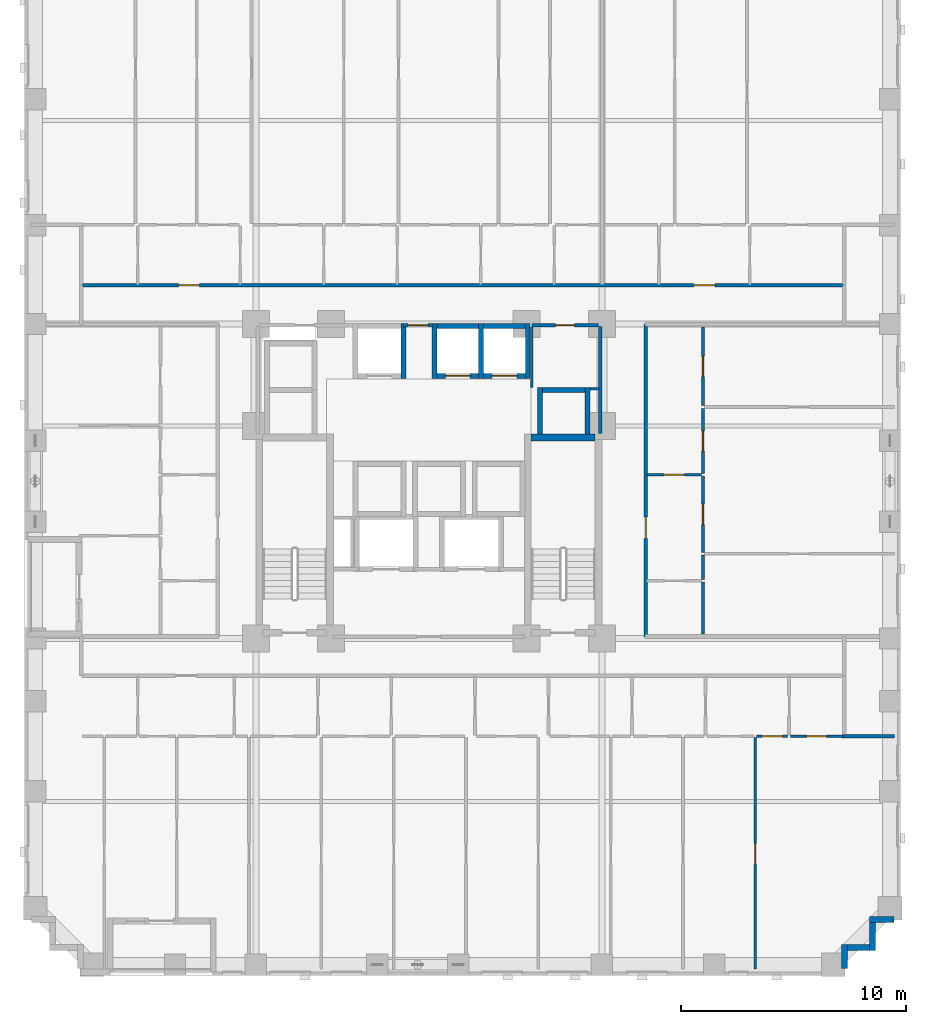
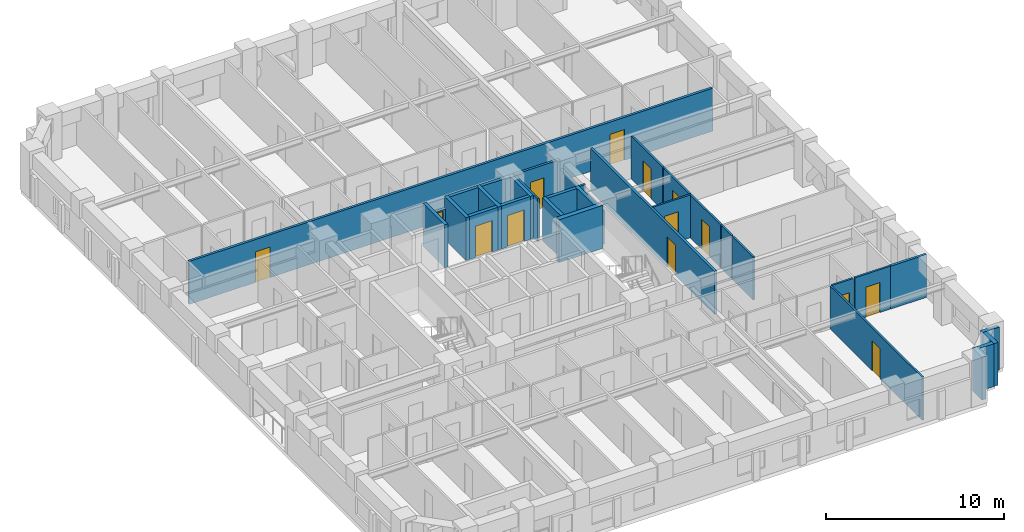
# One storey, part 6 of 14: 33 walls, 14 doors, 14 openings.
"""IFC4 building model written with IfcOpenShell, lengths in metres."""

from ifc_helpers import new_model, si_unit, derived_unit, direction, frame, frame_2d, origin, place, context, subcontext, project, spatial, rectangle, extrude, material, layer, layer_set, type_object, element, fill, save


model = new_model("IFC4")

# Units and contexts
model_context = context("Model", 3, precision=1e-05, world=origin(), true_north=direction((0.0, 1.0)))
body_context = subcontext(model_context, "Body", "Model", "MODEL_VIEW")
ifc_project = project(units=[si_unit("LENGTHUNIT", "METRE"), si_unit("AREAUNIT", "SQUARE_METRE"), si_unit("VOLUMEUNIT", "CUBIC_METRE"), si_unit("PLANEANGLEUNIT", "RADIAN"), si_unit("MASSUNIT", "GRAM", prefix="KILO"), derived_unit("THERMALTRANSMITTANCEUNIT", [(si_unit("MASSUNIT", "GRAM", prefix="KILO"), 1), (si_unit("TIMEUNIT", "SECOND"), -3), (si_unit("THERMODYNAMICTEMPERATUREUNIT", "KELVIN"), -1)])], contexts=[model_context])

# Site, building, storey
site_placement = place(None, origin())
site = spatial("IfcSite", under=ifc_project, at=site_placement, CompositionType="ELEMENT")
building_placement = place(site_placement, origin())
building = spatial("IfcBuilding", under=site, at=building_placement, Name="Korrvale Station Residences", CompositionType="ELEMENT")
storey_placement = place(building_placement, frame((0.0, 0.0, 29.0)))
storey = spatial("IfcBuildingStorey", under=building, at=storey_placement, Name="L06", CompositionType="ELEMENT", Elevation=29.0)

# Walls
ifc_material_1 = material(Name="Concrete C70/85", Category="concrete")
ifc_layer_1 = layer(ifc_material_1, 0.300048828125, Name="Concrete C70/85")
ifc_layer_set_1 = layer_set([ifc_layer_1], Name="Concrete C70/85")
wall_type_1 = type_object("IfcWallType", Name="WAL-CORE-300-C70", PredefinedType="SHEAR", material=ifc_layer_set_1)
wall_1_placement = place(storey_placement, frame((30.050048828125, 23.949951171875, 0.0), z_axis=(0.0, 0.0, 1.0), x_axis=(1.0, 0.0, 0.0)))
element("IfcWall", 1, at=wall_1_placement, inside=storey, type_object=wall_type_1, Name="L06 ST-2 Core Shear Wall North", PredefinedType="SHEAR", context=body_context, shape_type="SweptSolid", body=[
    extrude(rectangle(XDim=2.849853515625, YDim=0.300048828125, at=frame_2d((1.4248046875, 0.0))), origin(), (0.0, 0.0, 1.0), 2.93994140625),
])
ifc_material_2 = material(Name="Precast concrete C45/55", Category="concrete")
ifc_layer_2 = layer(ifc_material_2, 0.260009765625, Name="Precast concrete C45/55")
ifc_layer_set_2 = layer_set([ifc_layer_2], Name="Precast concrete C45/55")
wall_type_2 = type_object("IfcWallType", Name="WAL-EXT-LOG260", PredefinedType="SOLIDWALL", material=ifc_layer_set_2)
wall_2_placement = place(storey_placement, frame((46.197998046875, 2.5, 0.0), z_axis=(0.0, 0.0, 1.0), x_axis=(-1.0, 0.0, 0.0)))
element("IfcWall", 2, at=wall_2_placement, inside=storey, type_object=wall_type_2, Name="L06 Serrated Corner Precast Step SE-1", PredefinedType="SOLIDWALL", context=body_context, shape_type="SweptSolid", body=[
    extrude(rectangle(XDim=1.077880859375, YDim=0.260009765625, at=frame_2d((0.5390625, 0.0))), origin(), (0.0, 0.0, 1.0), 2.93994140625),
])
wall_3_placement = place(storey_placement, frame((45.25, 2.367919921875, 0.0), z_axis=(0.0, 0.0, 1.0), x_axis=(0.0, -1.0, 0.0)))
element("IfcWall", 3, at=wall_3_placement, inside=storey, type_object=wall_type_2, Name="L06 Serrated Corner Precast Step SE-2", PredefinedType="SOLIDWALL", context=body_context, shape_type="SweptSolid", body=[
    extrude(rectangle(XDim=1.247802734375, YDim=0.260009765625, at=frame_2d((0.6240234375, 0.0))), origin(), (0.0, 0.0, 1.0), 2.93994140625),
])
wall_4_placement = place(storey_placement, frame((45.117919921875, 1.25, 0.0), z_axis=(0.0, 0.0, 1.0), x_axis=(-1.0, 0.0, 0.0)))
element("IfcWall", 4, at=wall_4_placement, inside=storey, type_object=wall_type_2, Name="L06 Serrated Corner Precast Step SE-3", PredefinedType="SOLIDWALL", context=body_context, shape_type="SweptSolid", body=[
    extrude(rectangle(XDim=0.98583984375, YDim=0.260009765625, at=frame_2d((0.492919921875, 0.0))), origin(), (0.0, 0.0, 1.0), 2.93994140625),
])
wall_5_placement = place(storey_placement, frame((44.0, 1.3798828125, 0.0), z_axis=(0.0, 0.0, 1.0), x_axis=(0.0, -1.0, 0.0)))
element("IfcWall", 5, at=wall_5_placement, inside=storey, type_object=wall_type_2, Name="L06 Serrated Corner Precast Step SE-4", PredefinedType="SOLIDWALL", context=body_context, shape_type="SweptSolid", body=[
    extrude(rectangle(XDim=1.077880859375, YDim=0.260009765625, at=frame_2d((0.5390625, 0.0))), origin(), (0.0, 0.0, 1.0), 2.93994140625),
])
ifc_material_3 = material(Name="Acoustic steel-stud gypsum board partition", Category="steel")
ifc_layer_3 = layer(ifc_material_3, 0.1201171875, Name="Acoustic steel-stud gypsum board partition")
ifc_layer_set_3 = layer_set([ifc_layer_3], Name="Acoustic steel-stud gypsum board partition")
wall_type_3 = type_object("IfcWallType", Name="WAL-PART-125", PredefinedType="PARTITIONING", material=ifc_layer_set_3)
wall_6_placement = place(storey_placement, frame((30.080078125, 26.179931640625, 0.0), z_axis=(0.0, 0.0, 1.0), x_axis=(0.0, 1.0, 0.0)))
element("IfcWall", 6, at=wall_6_placement, inside=storey, type_object=wall_type_3, Name="L06 Core Partition CW-CS-W", PredefinedType="PARTITIONING", context=body_context, shape_type="SweptSolid", body=[
    extrude(rectangle(XDim=2.68017578125, YDim=0.1201171875, at=frame_2d((1.340087890625, 0.0))), origin(), (0.0, 0.0, 1.0), 2.93994140625),
])
wall_7_placement = place(storey_placement, frame((32.679931640625, 26.1201171875, 0.0), z_axis=(0.0, 0.0, 1.0), x_axis=(1.0, 0.0, 0.0)))
element("IfcWall", 7, at=wall_7_placement, inside=storey, type_object=wall_type_3, Name="L06 Core Partition CW-CS-S", PredefinedType="PARTITIONING", context=body_context, shape_type="SweptSolid", body=[
    extrude(rectangle(XDim=0.380126953125, YDim=0.1201171875, at=frame_2d((0.18994140625, 0.0))), origin(), (0.0, 0.0, 1.0), 2.93994140625),
])

# Wall, opening, door
wall_8_placement = place(storey_placement, frame((40.090087890625, 10.64990234375, 0.0), z_axis=(0.0, 0.0, 1.0), x_axis=(1.0, 0.0, 0.0)))
wall_8 = element("IfcWall", 8, at=wall_8_placement, inside=storey, type_object=wall_type_3, Name="L06 Suite Partition U01-H820", PredefinedType="PARTITIONING", context=body_context, shape_type="SweptSolid", body=[
    extrude(rectangle(XDim=1.3798828125, YDim=0.1201171875, at=frame_2d((0.68994140625, 0.0))), origin(), (0.0, 0.0, 1.0), 2.93994140625),
])
opening_1_placement = place(wall_8_placement, frame((0.239990234375, 0.0, 0.0)))
opening_1 = element("IfcOpeningElement", 9, at=opening_1_placement, cuts=wall_8, Name="Opening DI-900", PredefinedType="OPENING", context=body_context, shape_type="SweptSolid", body=[
    extrude(rectangle(XDim=0.89990234375, YDim=2.050048828125, at=frame_2d((0.449951171875, 1.02490234375))), frame((0.0, 0.070068359375, 0.0), z_axis=(0.0, -1.0, 0.0), x_axis=(1.0, 0.0, 0.0)), (0.0, 0.0, 1.0), 0.14013671875),
])
ifc_material_4 = material(Name="Painted solid-core timber interior room door", Category="wood")
door_type_1 = type_object("IfcDoorType", Name="DR-INT-900", OperationType="NOTDEFINED", PredefinedType="DOOR", material=ifc_material_4)
door_1_placement = place(opening_1_placement, origin())
door_1 = element("IfcDoor", 10, at=door_1_placement, inside=storey, type_object=door_type_1, Name="L06 Studio Apartment L06-U01 Storage Closet 7 Door", OperationType="SINGLE_SWING_RIGHT", OverallHeight=2.050048828125, OverallWidth=0.89990234375, PredefinedType="DOOR", context=body_context, shape_type="SweptSolid", body=[
    extrude(rectangle(XDim=0.89990234375, YDim=2.050048828125, at=frame_2d((0.449951171875, 1.02490234375))), frame((0.0, 0.02490234375, 0.0), z_axis=(0.0, -1.0, 0.0), x_axis=(1.0, 0.0, 0.0)), (0.0, 0.0, 1.0), 0.050048828125),
])
fill(opening_1, door_1)

wall_9_placement = place(storey_placement, frame((41.590087890625, 10.64990234375, 0.0), z_axis=(0.0, 0.0, 1.0), x_axis=(1.0, 0.0, 0.0)))
wall_9 = element("IfcWall", 11, at=wall_9_placement, inside=storey, type_object=wall_type_3, Name="L06 Suite Partition U01-H920", PredefinedType="PARTITIONING", context=body_context, shape_type="SweptSolid", body=[
    extrude(rectangle(XDim=2.329833984375, YDim=0.1201171875, at=frame_2d((1.1650390625, 0.0))), origin(), (0.0, 0.0, 1.0), 2.93994140625),
])
opening_2_placement = place(wall_9_placement, frame((0.715087890625, 0.0, 0.0)))
opening_2 = element("IfcOpeningElement", 12, at=opening_2_placement, cuts=wall_9, Name="Opening DI-900", PredefinedType="OPENING", context=body_context, shape_type="SweptSolid", body=[
    extrude(rectangle(XDim=0.89990234375, YDim=2.050048828125, at=frame_2d((0.449951171875, 1.02490234375))), frame((0.0, 0.070068359375, 0.0), z_axis=(0.0, -1.0, 0.0), x_axis=(1.0, 0.0, 0.0)), (0.0, 0.0, 1.0), 0.14013671875),
])
door_2_placement = place(opening_2_placement, origin())
door_2 = element("IfcDoor", 13, at=door_2_placement, inside=storey, type_object=door_type_1, Name="L06 Studio Apartment L06-U01 Storage Closet 8 Door", OperationType="SINGLE_SWING_LEFT", OverallHeight=2.050048828125, OverallWidth=0.89990234375, PredefinedType="DOOR", context=body_context, shape_type="SweptSolid", body=[
    extrude(rectangle(XDim=0.89990234375, YDim=2.050048828125, at=frame_2d((0.449951171875, 1.02490234375))), frame((0.0, 0.02490234375, 0.0), z_axis=(0.0, -1.0, 0.0), x_axis=(1.0, 0.0, 0.0)), (0.0, 0.0, 1.0), 0.050048828125),
])
fill(opening_2, door_2)

wall_10_placement = place(storey_placement, frame((40.030029296875, 0.280029296875, 0.0), z_axis=(0.0, 0.0, 1.0), x_axis=(0.0, 1.0, 0.0)))
wall_10 = element("IfcWall", 14, at=wall_10_placement, inside=storey, type_object=wall_type_3, Name="L06 Suite Partition U01-V1920", PredefinedType="PARTITIONING", context=body_context, shape_type="SweptSolid", body=[
    extrude(rectangle(XDim=10.31005859375, YDim=0.1201171875, at=frame_2d((5.155029296875, 0.0))), origin(), (0.0, 0.0, 1.0), 2.93994140625),
])
opening_3_placement = place(wall_10_placement, frame((4.68994140625, 0.0, 0.0)))
opening_3 = element("IfcOpeningElement", 15, at=opening_3_placement, cuts=wall_10, Name="Opening DI-900", PredefinedType="OPENING", context=body_context, shape_type="SweptSolid", body=[
    extrude(rectangle(XDim=0.89990234375, YDim=2.050048828125, at=frame_2d((0.449951171875, 1.02490234375))), frame((0.0, 0.070068359375, 0.0), z_axis=(0.0, -1.0, 0.0), x_axis=(1.0, 0.0, 0.0)), (0.0, 0.0, 1.0), 0.14013671875),
])
door_3_placement = place(opening_3_placement, origin())
door_3 = element("IfcDoor", 16, at=door_3_placement, inside=storey, type_object=door_type_1, Name="L06 Studio Apartment L06-U01 Formal Dining Room Door", OperationType="SINGLE_SWING_LEFT", OverallHeight=2.050048828125, OverallWidth=0.89990234375, PredefinedType="DOOR", context=body_context, shape_type="SweptSolid", body=[
    extrude(rectangle(XDim=0.89990234375, YDim=2.050048828125, at=frame_2d((0.449951171875, 1.02490234375))), frame((0.0, 0.02490234375, 0.0), z_axis=(0.0, -1.0, 0.0), x_axis=(1.0, 0.0, 0.0)), (0.0, 0.0, 1.0), 0.050048828125),
])
fill(opening_3, door_3)

wall_11_placement = place(storey_placement, frame((35.18994140625, 22.2900390625, 0.0), z_axis=(0.0, 0.0, 1.0), x_axis=(1.0, 0.0, 0.0)))
wall_11 = element("IfcWall", 17, at=wall_11_placement, inside=storey, type_object=wall_type_3, Name="L06 Suite Partition U05-H02", PredefinedType="PARTITIONING", context=body_context, shape_type="SweptSolid", body=[
    extrude(rectangle(XDim=2.449951171875, YDim=0.1201171875, at=frame_2d((1.22509765625, 0.0))), origin(), (0.0, 0.0, 1.0), 2.93994140625),
])
opening_4_placement = place(wall_11_placement, frame((0.77490234375, 0.0, 0.0)))
opening_4 = element("IfcOpeningElement", 18, at=opening_4_placement, cuts=wall_11, Name="Opening DI-900", PredefinedType="OPENING", context=body_context, shape_type="SweptSolid", body=[
    extrude(rectangle(XDim=0.89990234375, YDim=2.050048828125, at=frame_2d((0.449951171875, 1.02490234375))), frame((0.0, 0.070068359375, 0.0), z_axis=(0.0, -1.0, 0.0), x_axis=(1.0, 0.0, 0.0)), (0.0, 0.0, 1.0), 0.14013671875),
])
door_4_placement = place(opening_4_placement, origin())
door_4 = element("IfcDoor", 19, at=door_4_placement, inside=storey, type_object=door_type_1, Name="L06 Apartment 2BR L06-U05 Wardrobe Storage Room Door", OperationType="SINGLE_SWING_RIGHT", OverallHeight=2.050048828125, OverallWidth=0.89990234375, PredefinedType="DOOR", context=body_context, shape_type="SweptSolid", body=[
    extrude(rectangle(XDim=0.89990234375, YDim=2.050048828125, at=frame_2d((0.449951171875, 1.02490234375))), frame((0.0, 0.02490234375, 0.0), z_axis=(0.0, -1.0, 0.0), x_axis=(1.0, 0.0, 0.0)), (0.0, 0.0, 1.0), 0.050048828125),
])
fill(opening_4, door_4)

wall_12_placement = place(storey_placement, frame((37.699951171875, 22.35009765625, 0.0), z_axis=(0.0, 0.0, 1.0), x_axis=(0.0, 1.0, 0.0)))
wall_12 = element("IfcWall", 20, at=wall_12_placement, inside=storey, type_object=wall_type_3, Name="L06 Suite Partition U05-V04", PredefinedType="PARTITIONING", context=body_context, shape_type="SweptSolid", body=[
    extrude(rectangle(XDim=2.890869140625, YDim=0.1201171875, at=frame_2d((1.4453125, 0.0))), origin(), (0.0, 0.0, 1.0), 2.93994140625),
])
opening_5_placement = place(wall_12_placement, frame((0.9951171875, 0.0, 0.0)))
opening_5 = element("IfcOpeningElement", 21, at=opening_5_placement, cuts=wall_12, Name="Opening DI-900", PredefinedType="OPENING", context=body_context, shape_type="SweptSolid", body=[
    extrude(rectangle(XDim=0.89990234375, YDim=2.050048828125, at=frame_2d((0.449951171875, 1.02490234375))), frame((0.0, 0.070068359375, 0.0), z_axis=(0.0, -1.0, 0.0), x_axis=(1.0, 0.0, 0.0)), (0.0, 0.0, 1.0), 0.14013671875),
])
door_5_placement = place(opening_5_placement, origin())
door_5 = element("IfcDoor", 22, at=door_5_placement, inside=storey, type_object=door_type_1, Name="L06 Apartment 2BR L06-U05 Wardrobe Storage Room Door", OperationType="SINGLE_SWING_LEFT", OverallHeight=2.050048828125, OverallWidth=0.89990234375, PredefinedType="DOOR", context=body_context, shape_type="SweptSolid", body=[
    extrude(rectangle(XDim=0.89990234375, YDim=2.050048828125, at=frame_2d((0.449951171875, 1.02490234375))), frame((0.0, 0.02490234375, 0.0), z_axis=(0.0, -1.0, 0.0), x_axis=(1.0, 0.0, 0.0)), (0.0, 0.0, 1.0), 0.050048828125),
])
fill(opening_5, door_5)

wall_13_placement = place(storey_placement, frame((37.699951171875, 25.361083984375, 0.0), z_axis=(0.0, 0.0, 1.0), x_axis=(0.0, 1.0, 0.0)))
wall_13 = element("IfcWall", 23, at=wall_13_placement, inside=storey, type_object=wall_type_3, Name="L06 Suite Partition U05-V05", PredefinedType="PARTITIONING", context=body_context, shape_type="SweptSolid", body=[
    extrude(rectangle(XDim=3.4990234375, YDim=0.1201171875, at=frame_2d((1.74951171875, 0.0))), origin(), (0.0, 0.0, 1.0), 2.93994140625),
])
opening_6_placement = place(wall_13_placement, frame((1.299072265625, 0.0, 0.0)))
opening_6 = element("IfcOpeningElement", 24, at=opening_6_placement, cuts=wall_13, Name="Opening DI-900", PredefinedType="OPENING", context=body_context, shape_type="SweptSolid", body=[
    extrude(rectangle(XDim=0.89990234375, YDim=2.050048828125, at=frame_2d((0.449951171875, 1.02490234375))), frame((0.0, 0.070068359375, 0.0), z_axis=(0.0, -1.0, 0.0), x_axis=(1.0, 0.0, 0.0)), (0.0, 0.0, 1.0), 0.14013671875),
])
door_6_placement = place(opening_6_placement, origin())
door_6 = element("IfcDoor", 25, at=door_6_placement, inside=storey, type_object=door_type_1, Name="L06 Apartment 2BR L06-U05 Wardrobe Storage Room Door", OperationType="SINGLE_SWING_RIGHT", OverallHeight=2.050048828125, OverallWidth=0.89990234375, PredefinedType="DOOR", context=body_context, shape_type="SweptSolid", body=[
    extrude(rectangle(XDim=0.89990234375, YDim=2.050048828125, at=frame_2d((0.449951171875, 1.02490234375))), frame((0.0, 0.02490234375, 0.0), z_axis=(0.0, -1.0, 0.0), x_axis=(1.0, 0.0, 0.0)), (0.0, 0.0, 1.0), 0.050048828125),
])
fill(opening_6, door_6)

# Walls
wall_14_placement = place(storey_placement, frame((37.699951171875, 15.2099609375, 0.0), z_axis=(0.0, 0.0, 1.0), x_axis=(0.0, 1.0, 0.0)))
element("IfcWall", 26, at=wall_14_placement, inside=storey, type_object=wall_type_3, Name="L06 Suite Partition U05-V13", PredefinedType="PARTITIONING", context=body_context, shape_type="SweptSolid", body=[
    extrude(rectangle(XDim=2.300048828125, YDim=0.1201171875, at=frame_2d((1.14990234375, 0.0))), origin(), (0.0, 0.0, 1.0), 2.93994140625),
])
wall_15_placement = place(storey_placement, frame((37.699951171875, 17.6298828125, 0.0), z_axis=(0.0, 0.0, 1.0), x_axis=(0.0, 1.0, 0.0)))
element("IfcWall", 27, at=wall_15_placement, inside=storey, type_object=wall_type_3, Name="L06 Suite Partition U05-V23", PredefinedType="PARTITIONING", context=body_context, shape_type="SweptSolid", body=[
    extrude(rectangle(XDim=1.0791015625, YDim=0.1201171875, at=frame_2d((0.53955078125, 0.0))), origin(), (0.0, 0.0, 1.0), 2.93994140625),
])

# Wall, opening, door
wall_16_placement = place(storey_placement, frame((37.699951171875, 18.8291015625, 0.0), z_axis=(0.0, 0.0, 1.0), x_axis=(0.0, 1.0, 0.0)))
wall_16 = element("IfcWall", 28, at=wall_16_placement, inside=storey, type_object=wall_type_3, Name="L06 Suite Partition U05-V24", PredefinedType="PARTITIONING", context=body_context, shape_type="SweptSolid", body=[
    extrude(rectangle(XDim=3.40087890625, YDim=0.1201171875, at=frame_2d((1.700439453125, 0.0))), origin(), (0.0, 0.0, 1.0), 2.93994140625),
])
opening_7_placement = place(wall_16_placement, frame((1.25, 0.0, 0.0)))
opening_7 = element("IfcOpeningElement", 29, at=opening_7_placement, cuts=wall_16, Name="Opening DI-900", PredefinedType="OPENING", context=body_context, shape_type="SweptSolid", body=[
    extrude(rectangle(XDim=0.89990234375, YDim=2.050048828125, at=frame_2d((0.449951171875, 1.02490234375))), frame((0.0, 0.070068359375, 0.0), z_axis=(0.0, -1.0, 0.0), x_axis=(1.0, 0.0, 0.0)), (0.0, 0.0, 1.0), 0.14013671875),
])
door_7_placement = place(opening_7_placement, origin())
door_7 = element("IfcDoor", 30, at=door_7_placement, inside=storey, type_object=door_type_1, Name="L06 Apartment 2BR L06-U05 Kitchen Door", OperationType="SINGLE_SWING_RIGHT", OverallHeight=2.050048828125, OverallWidth=0.89990234375, PredefinedType="DOOR", context=body_context, shape_type="SweptSolid", body=[
    extrude(rectangle(XDim=0.89990234375, YDim=2.050048828125, at=frame_2d((0.449951171875, 1.02490234375))), frame((0.0, 0.02490234375, 0.0), z_axis=(0.0, -1.0, 0.0), x_axis=(1.0, 0.0, 0.0)), (0.0, 0.0, 1.0), 0.050048828125),
])
fill(opening_7, door_7)

# Wall
ifc_material_5 = material(Name="Fire-rated twin-stud gypsum and mineral wool shaftwall assembly", Category="gypsum")
ifc_layer_4 = layer(ifc_material_5, 0.159912109375, Name="Fire-rated twin-stud gypsum and mineral wool shaftwall assembly")
ifc_layer_set_4 = layer_set([ifc_layer_4], Name="Fire-rated twin-stud gypsum and mineral wool shaftwall assembly")
wall_type_4 = type_object("IfcWallType", Name="WAL-PART-200", PredefinedType="PARTITIONING", material=ifc_layer_set_4)
wall_17_placement = place(storey_placement, frame((33.1201171875, 24.1201171875, 0.0), z_axis=(0.0, 0.0, 1.0), x_axis=(0.0, 1.0, 0.0)))
element("IfcWall", 31, at=wall_17_placement, inside=storey, type_object=wall_type_4, Name="L06 Core Partition CW-E-N", PredefinedType="PARTITIONING", context=body_context, shape_type="SweptSolid", body=[
    extrude(rectangle(XDim=4.759765625, YDim=0.159912109375, at=frame_2d((2.3798828125, 0.0))), origin(), (0.0, 0.0, 1.0), 2.27490234375),
])

# Wall, opening, door
wall_18_placement = place(storey_placement, frame((24.360107421875, 28.949951171875, 0.0), z_axis=(0.0, 0.0, 1.0), x_axis=(1.0, 0.0, 0.0)))
wall_18 = element("IfcWall", 32, at=wall_18_placement, inside=storey, type_object=wall_type_4, Name="L06 Core Partition CW-LLOB-N", PredefinedType="PARTITIONING", context=body_context, shape_type="SweptSolid", body=[
    extrude(rectangle(XDim=1.31982421875, YDim=0.159912109375, at=frame_2d((0.659912109375, 0.0))), origin(), (0.0, 0.0, 1.0), 2.155029296875),
])
opening_8_placement = place(wall_18_placement, frame((0.2099609375, 0.0, 0.0)))
opening_8 = element("IfcOpeningElement", 33, at=opening_8_placement, cuts=wall_18, Name="Opening DI-900", PredefinedType="OPENING", context=body_context, shape_type="SweptSolid", body=[
    extrude(rectangle(XDim=0.89990234375, YDim=2.050048828125, at=frame_2d((0.449951171875, 1.02490234375))), frame((0.0, 0.08984375, 0.0), z_axis=(0.0, -1.0, 0.0), x_axis=(1.0, 0.0, 0.0)), (0.0, 0.0, 1.0), 0.179931640625),
])
door_8_placement = place(opening_8_placement, origin())
door_8 = element("IfcDoor", 34, at=door_8_placement, inside=storey, type_object=door_type_1, Name="L06 Central Hallway North Passage Door", OperationType="SINGLE_SWING_LEFT", OverallHeight=2.050048828125, OverallWidth=0.89990234375, PredefinedType="DOOR", context=body_context, shape_type="SweptSolid", body=[
    extrude(rectangle(XDim=0.89990234375, YDim=2.050048828125, at=frame_2d((0.449951171875, 1.02490234375))), frame((0.0, 0.02490234375, 0.0), z_axis=(0.0, -1.0, 0.0), x_axis=(1.0, 0.0, 0.0)), (0.0, 0.0, 1.0), 0.050048828125),
])
fill(opening_8, door_8)

wall_19_placement = place(storey_placement, frame((30.080078125, 28.949951171875, 0.0), z_axis=(0.0, 0.0, 1.0), x_axis=(1.0, 0.0, 0.0)))
wall_19 = element("IfcWall", 35, at=wall_19_placement, inside=storey, type_object=wall_type_4, Name="L06 Core Partition CW-CS-N", PredefinedType="PARTITIONING", context=body_context, shape_type="SweptSolid", body=[
    extrude(rectangle(XDim=2.9599609375, YDim=0.159912109375, at=frame_2d((1.47998046875, 0.0))), origin(), (0.0, 0.0, 1.0), 2.93994140625),
])
opening_9_placement = place(wall_19_placement, frame((1.044921875, 0.0, 0.0)))
opening_9 = element("IfcOpeningElement", 36, at=opening_9_placement, cuts=wall_19, Name="Opening DB-860", PredefinedType="OPENING", context=body_context, shape_type="SweptSolid", body=[
    extrude(rectangle(XDim=0.860107421875, YDim=2.050048828125, at=frame_2d((0.43017578125, 1.02490234375))), frame((0.0, 0.08984375, 0.0), z_axis=(0.0, -1.0, 0.0), x_axis=(1.0, 0.0, 0.0)), (0.0, 0.0, 1.0), 0.179931640625),
])
ifc_material_6 = material(Name="Moisture-resistant solid-core bathroom door", Category="timber")
door_type_2 = type_object("IfcDoorType", Name="DR-BATH-860", OperationType="NOTDEFINED", PredefinedType="DOOR", material=ifc_material_6)
door_9_placement = place(opening_9_placement, origin())
door_9 = element("IfcDoor", 37, at=door_9_placement, inside=storey, type_object=door_type_2, Name="L06 Parcel Room Door", OperationType="SINGLE_SWING_LEFT", OverallHeight=2.050048828125, OverallWidth=0.860107421875, PredefinedType="DOOR", context=body_context, shape_type="SweptSolid", body=[
    extrude(rectangle(XDim=0.860107421875, YDim=2.050048828125, at=frame_2d((0.43017578125, 1.02490234375))), frame((0.0, 0.02490234375, 0.0), z_axis=(0.0, -1.0, 0.0), x_axis=(1.0, 0.0, 0.0)), (0.0, 0.0, 1.0), 0.050048828125),
])
fill(opening_9, door_9)

# Wall
wall_20_placement = place(storey_placement, frame((43.8798828125, 10.64990234375, 0.0), z_axis=(0.0, 0.0, 1.0), x_axis=(1.0, 0.0, 0.0)))
element("IfcWall", 38, at=wall_20_placement, inside=storey, type_object=wall_type_4, Name="L06 Corner Step Wall U01-R", PredefinedType="PARTITIONING", context=body_context, shape_type="SweptSolid", body=[
    extrude(rectangle(XDim=2.340087890625, YDim=0.159912109375, at=frame_2d((1.169921875, 0.0))), origin(), (0.0, 0.0, 1.0), 2.93994140625),
])

# Wall, openings, doors
wall_21_placement = place(storey_placement, frame((10.050048828125, 30.719970703125, 0.0), z_axis=(0.0, 0.0, 1.0), x_axis=(1.0, 0.0, 0.0)))
wall_21 = element("IfcWall", 39, at=wall_21_placement, inside=storey, type_object=wall_type_4, Name="L06 Rated Corridor Wall N", PredefinedType="PARTITIONING", context=body_context, shape_type="SweptSolid", body=[
    extrude(rectangle(XDim=33.89990234375, YDim=0.159912109375, at=frame_2d((16.949951171875, 0.0))), origin(), (0.0, 0.0, 1.0), 2.93994140625),
])
opening_10_placement = place(wall_21_placement, frame((4.294921875, 0.0, 0.0)))
opening_10 = element("IfcOpeningElement", 40, at=opening_10_placement, cuts=wall_21, Name="Opening UD-950", PredefinedType="OPENING", context=body_context, shape_type="SweptSolid", body=[
    extrude(rectangle(XDim=0.949951171875, YDim=2.10009765625, at=frame_2d((0.47509765625, 1.050048828125))), frame((0.0, 0.08984375, 0.0), z_axis=(0.0, -1.0, 0.0), x_axis=(1.0, 0.0, 0.0)), (0.0, 0.0, 1.0), 0.179931640625),
])
opening_11_placement = place(wall_21_placement, frame((27.235107421875, 0.0, 0.0)))
opening_11 = element("IfcOpeningElement", 41, at=opening_11_placement, cuts=wall_21, Name="Opening UD-950", PredefinedType="OPENING", context=body_context, shape_type="SweptSolid", body=[
    extrude(rectangle(XDim=0.949951171875, YDim=2.10009765625, at=frame_2d((0.47509765625, 1.050048828125))), frame((0.0, 0.08984375, 0.0), z_axis=(0.0, -1.0, 0.0), x_axis=(1.0, 0.0, 0.0)), (0.0, 0.0, 1.0), 0.179931640625),
])
ifc_material_7 = material(Name="Solid-core acoustic oak apartment entrance door", Category="timber")
door_type_3 = type_object("IfcDoorType", Name="DR-UNIT-950", OperationType="NOTDEFINED", PredefinedType="DOOR", material=ifc_material_7)
door_10_placement = place(opening_10_placement, origin())
door_10 = element("IfcDoor", 42, at=door_10_placement, inside=storey, type_object=door_type_3, Name="L06 Apartment L06-U02 Entrance Door", OperationType="SINGLE_SWING_RIGHT", OverallHeight=2.10009765625, OverallWidth=0.949951171875, PredefinedType="DOOR", context=body_context, shape_type="SweptSolid", body=[
    extrude(rectangle(XDim=0.949951171875, YDim=2.10009765625, at=frame_2d((0.47509765625, 1.050048828125))), frame((0.0, 0.02490234375, 0.0), z_axis=(0.0, -1.0, 0.0), x_axis=(1.0, 0.0, 0.0)), (0.0, 0.0, 1.0), 0.050048828125),
])
fill(opening_10, door_10)
door_11_placement = place(opening_11_placement, origin())
door_11 = element("IfcDoor", 43, at=door_11_placement, inside=storey, type_object=door_type_3, Name="L06 Apartment L06-U03 Entrance Door", OperationType="SINGLE_SWING_LEFT", OverallHeight=2.10009765625, OverallWidth=0.949951171875, PredefinedType="DOOR", context=body_context, shape_type="SweptSolid", body=[
    extrude(rectangle(XDim=0.949951171875, YDim=2.10009765625, at=frame_2d((0.47509765625, 1.050048828125))), frame((0.0, 0.02490234375, 0.0), z_axis=(0.0, -1.0, 0.0), x_axis=(1.0, 0.0, 0.0)), (0.0, 0.0, 1.0), 0.050048828125),
])
fill(opening_11, door_11)

# Wall, opening, door
wall_22_placement = place(storey_placement, frame((35.14990234375, 15.070068359375, 0.0), z_axis=(0.0, 0.0, 1.0), x_axis=(0.0, 1.0, 0.0)))
wall_22 = element("IfcWall", 44, at=wall_22_placement, inside=storey, type_object=wall_type_4, Name="L06 Rated Corridor Wall E", PredefinedType="PARTITIONING", context=body_context, shape_type="SweptSolid", body=[
    extrude(rectangle(XDim=13.929931640625, YDim=0.159912109375, at=frame_2d((6.96484375, 0.0))), origin(), (0.0, 0.0, 1.0), 2.93994140625),
])
opening_12_placement = place(wall_22_placement, frame((4.385009765625, 0.0, 0.0)))
opening_12 = element("IfcOpeningElement", 45, at=opening_12_placement, cuts=wall_22, Name="Opening UD-950", PredefinedType="OPENING", context=body_context, shape_type="SweptSolid", body=[
    extrude(rectangle(XDim=0.949951171875, YDim=2.10009765625, at=frame_2d((0.47509765625, 1.050048828125))), frame((0.0, 0.08984375, 0.0), z_axis=(0.0, -1.0, 0.0), x_axis=(1.0, 0.0, 0.0)), (0.0, 0.0, 1.0), 0.179931640625),
])
door_12_placement = place(opening_12_placement, origin())
door_12 = element("IfcDoor", 46, at=door_12_placement, inside=storey, type_object=door_type_3, Name="L06 Apartment L06-U05 Entrance Door", OperationType="SINGLE_SWING_LEFT", OverallHeight=2.10009765625, OverallWidth=0.949951171875, PredefinedType="DOOR", context=body_context, shape_type="SweptSolid", body=[
    extrude(rectangle(XDim=0.949951171875, YDim=2.10009765625, at=frame_2d((0.47509765625, 1.050048828125))), frame((0.0, 0.02490234375, 0.0), z_axis=(0.0, -1.0, 0.0), x_axis=(1.0, 0.0, 0.0)), (0.0, 0.0, 1.0), 0.050048828125),
])
fill(opening_12, door_12)

# Wall
ifc_layer_5 = layer(ifc_material_1, 0.219970703125, Name="Concrete C70/85")
ifc_layer_set_5 = layer_set([ifc_layer_5], Name="Concrete C70/85")
wall_type_5 = type_object("IfcWallType", Name="WAL-SHAFT-220-C70", PredefinedType="SHEAR", material=ifc_layer_set_5)
wall_23_placement = place(storey_placement, frame((24.360107421875, 26.580078125, 0.0), z_axis=(0.0, 0.0, 1.0), x_axis=(0.0, 1.0, 0.0)))
element("IfcWall", 47, at=wall_23_placement, inside=storey, type_object=wall_type_5, Name="L06 Elevator PL-1 Hoistway Wall East", PredefinedType="SHEAR", context=body_context, shape_type="SweptSolid", body=[
    extrude(rectangle(XDim=2.43994140625, YDim=0.219970703125, at=frame_2d((1.219970703125, 0.0))), origin(), (0.0, 0.0, 1.0), 2.93994140625),
])

# Wall, opening, door
wall_24_placement = place(storey_placement, frame((25.85009765625, 26.68994140625, 0.0), z_axis=(0.0, 0.0, 1.0), x_axis=(1.0, 0.0, 0.0)))
wall_24 = element("IfcWall", 48, at=wall_24_placement, inside=storey, type_object=wall_type_5, Name="L06 Elevator PL-2 Hoistway Wall South", PredefinedType="SHEAR", context=body_context, shape_type="SweptSolid", body=[
    extrude(rectangle(XDim=1.85986328125, YDim=0.219970703125, at=frame_2d((0.929931640625, 0.0))), origin(), (0.0, 0.0, 1.0), 2.93994140625),
])
opening_13_placement = place(wall_24_placement, frame((0.3798828125, 0.0, 0.0)))
opening_13 = element("IfcOpeningElement", 49, at=opening_13_placement, cuts=wall_24, Name="Opening LD-1100", PredefinedType="OPENING", context=body_context, shape_type="SweptSolid", body=[
    extrude(rectangle(XDim=1.10009765625, YDim=2.14990234375, at=frame_2d((0.550048828125, 1.074951171875))), frame((0.0, 0.1201171875, 0.0), z_axis=(0.0, -1.0, 0.0), x_axis=(1.0, 0.0, 0.0)), (0.0, 0.0, 1.0), 0.239990234375),
])
ifc_material_8 = material(Name="Brushed stainless-steel elevator landing sliding door", Category="steel")
door_type_4 = type_object("IfcDoorType", Name="DR-LIFT-1100", OperationType="SLIDING_TO_LEFT", PredefinedType="DOOR", material=ifc_material_8)
door_13_placement = place(opening_13_placement, origin())
door_13 = element("IfcDoor", 50, at=door_13_placement, inside=storey, type_object=door_type_4, Name="L06 Elevator PL-2 Sliding Landing Door", OperationType="SLIDING_TO_LEFT", OverallHeight=2.14990234375, OverallWidth=1.10009765625, PredefinedType="DOOR", context=body_context, shape_type="SweptSolid", body=[
    extrude(rectangle(XDim=1.10009765625, YDim=2.14990234375, at=frame_2d((0.550048828125, 1.074951171875))), frame((0.0, 0.02490234375, 0.0), z_axis=(0.0, -1.0, 0.0), x_axis=(1.0, 0.0, 0.0)), (0.0, 0.0, 1.0), 0.050048828125),
])
fill(opening_13, door_13)

# Walls
wall_25_placement = place(storey_placement, frame((25.85009765625, 28.909912109375, 0.0), z_axis=(0.0, 0.0, 1.0), x_axis=(1.0, 0.0, 0.0)))
element("IfcWall", 51, at=wall_25_placement, inside=storey, type_object=wall_type_5, Name="L06 Elevator PL-2 Hoistway Wall North", PredefinedType="SHEAR", context=body_context, shape_type="SweptSolid", body=[
    extrude(rectangle(XDim=1.85986328125, YDim=0.219970703125, at=frame_2d((0.929931640625, 0.0))), origin(), (0.0, 0.0, 1.0), 2.93994140625),
])
for number, where, z_axis, x_axis, name in (
    (52, (25.739990234375, 26.580078125, 0.0), (0.0, 0.0, 1.0), (0.0, 1.0, 0.0), "L06 Elevator PL-2 Hoistway Wall West"),
    (53, (27.820068359375, 26.580078125, 0.0), (0.0, 0.0, 1.0), (0.0, 1.0, 0.0), "L06 Elevator PL-2 Hoistway Wall East"),
):
    element("IfcWall", number, at=place(storey_placement, frame(where, z_axis=z_axis, x_axis=x_axis)), inside=storey, type_object=wall_type_5, Name=name, PredefinedType="SHEAR", context=body_context, shape_type="SweptSolid", body=[
        extrude(rectangle(XDim=2.43994140625, YDim=0.219970703125, at=frame_2d((1.219970703125, 0.0))), origin(), (0.0, 0.0, 1.0), 2.93994140625),
    ])

# Wall, opening, door
wall_26_placement = place(storey_placement, frame((27.929931640625, 26.68994140625, 0.0), z_axis=(0.0, 0.0, 1.0), x_axis=(1.0, 0.0, 0.0)))
wall_26 = element("IfcWall", 54, at=wall_26_placement, inside=storey, type_object=wall_type_5, Name="L06 Elevator PL-3 Hoistway Wall South", PredefinedType="SHEAR", context=body_context, shape_type="SweptSolid", body=[
    extrude(rectangle(XDim=1.860107421875, YDim=0.219970703125, at=frame_2d((0.93017578125, 0.0))), origin(), (0.0, 0.0, 1.0), 2.93994140625),
])
opening_14_placement = place(wall_26_placement, frame((0.3798828125, 0.0, 0.0)))
opening_14 = element("IfcOpeningElement", 55, at=opening_14_placement, cuts=wall_26, Name="Opening LD-1100", PredefinedType="OPENING", context=body_context, shape_type="SweptSolid", body=[
    extrude(rectangle(XDim=1.10009765625, YDim=2.14990234375, at=frame_2d((0.550048828125, 1.074951171875))), frame((0.0, 0.1201171875, 0.0), z_axis=(0.0, -1.0, 0.0), x_axis=(1.0, 0.0, 0.0)), (0.0, 0.0, 1.0), 0.239990234375),
])
door_14_placement = place(opening_14_placement, origin())
door_14 = element("IfcDoor", 56, at=door_14_placement, inside=storey, type_object=door_type_4, Name="L06 Elevator PL-3 Sliding Landing Door", OperationType="SLIDING_TO_LEFT", OverallHeight=2.14990234375, OverallWidth=1.10009765625, PredefinedType="DOOR", context=body_context, shape_type="SweptSolid", body=[
    extrude(rectangle(XDim=1.10009765625, YDim=2.14990234375, at=frame_2d((0.550048828125, 1.074951171875))), frame((0.0, 0.02490234375, 0.0), z_axis=(0.0, -1.0, 0.0), x_axis=(1.0, 0.0, 0.0)), (0.0, 0.0, 1.0), 0.050048828125),
])
fill(opening_14, door_14)

# Walls
wall_27_placement = place(storey_placement, frame((27.929931640625, 28.909912109375, 0.0), z_axis=(0.0, 0.0, 1.0), x_axis=(1.0, 0.0, 0.0)))
element("IfcWall", 57, at=wall_27_placement, inside=storey, type_object=wall_type_5, Name="L06 Elevator PL-3 Hoistway Wall North", PredefinedType="SHEAR", context=body_context, shape_type="SweptSolid", body=[
    extrude(rectangle(XDim=1.860107421875, YDim=0.219970703125, at=frame_2d((0.93017578125, 0.0))), origin(), (0.0, 0.0, 1.0), 2.93994140625),
])
wall_28_placement = place(storey_placement, frame((29.89990234375, 26.580078125, 0.0), z_axis=(0.0, 0.0, 1.0), x_axis=(0.0, 1.0, 0.0)))
element("IfcWall", 58, at=wall_28_placement, inside=storey, type_object=wall_type_5, Name="L06 Elevator PL-3 Hoistway Wall East", PredefinedType="SHEAR", context=body_context, shape_type="SweptSolid", body=[
    extrude(rectangle(XDim=2.43994140625, YDim=0.219970703125, at=frame_2d((1.219970703125, 0.0))), origin(), (0.0, 0.0, 1.0), 2.93994140625),
])
wall_29_placement = place(storey_placement, frame((30.550048828125, 26.06005859375, 0.0), z_axis=(0.0, 0.0, 1.0), x_axis=(1.0, 0.0, 0.0)))
element("IfcWall", 59, at=wall_29_placement, inside=storey, type_object=wall_type_5, Name="L06 Elevator PH-3 Hoistway Wall North", PredefinedType="SHEAR", context=body_context, shape_type="SweptSolid", body=[
    extrude(rectangle(XDim=1.89990234375, YDim=0.219970703125, at=frame_2d((0.949951171875, 0.0))), origin(), (0.0, 0.0, 1.0), 2.93994140625),
])
for number, where, z_axis, x_axis, name in (
    (60, (30.43994140625, 24.10009765625, 0.0), (0.0, 0.0, 1.0), (0.0, 1.0, 0.0), "L06 Elevator PH-3 Hoistway Wall West"),
    (61, (32.56005859375, 24.10009765625, 0.0), (0.0, 0.0, 1.0), (0.0, 1.0, 0.0), "L06 Elevator PH-3 Hoistway Wall East"),
):
    element("IfcWall", number, at=place(storey_placement, frame(where, z_axis=z_axis, x_axis=x_axis)), inside=storey, type_object=wall_type_5, Name=name, PredefinedType="SHEAR", context=body_context, shape_type="SweptSolid", body=[
        extrude(rectangle(XDim=2.06982421875, YDim=0.219970703125, at=frame_2d((1.034912109375, 0.0))), origin(), (0.0, 0.0, 1.0), 2.93994140625),
    ])

save(model, "model.ifc")
